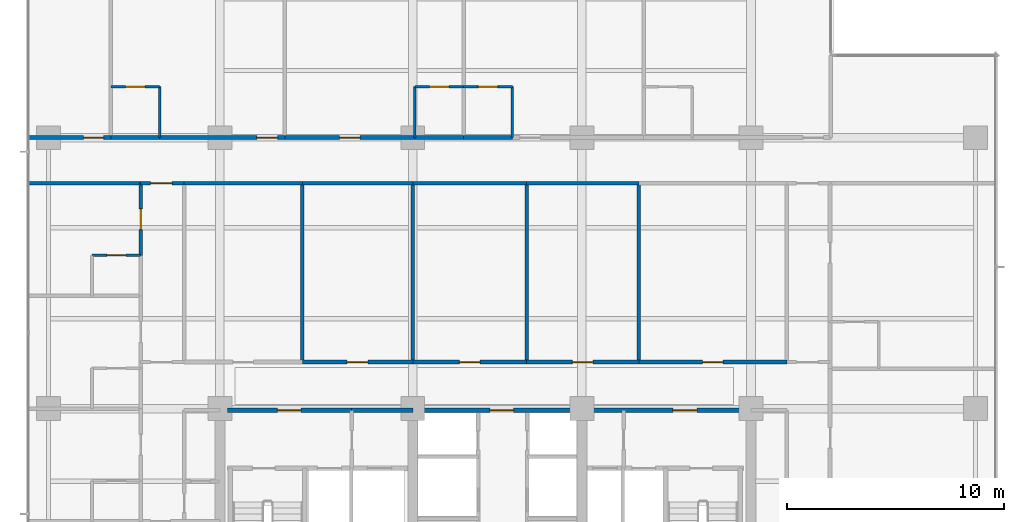
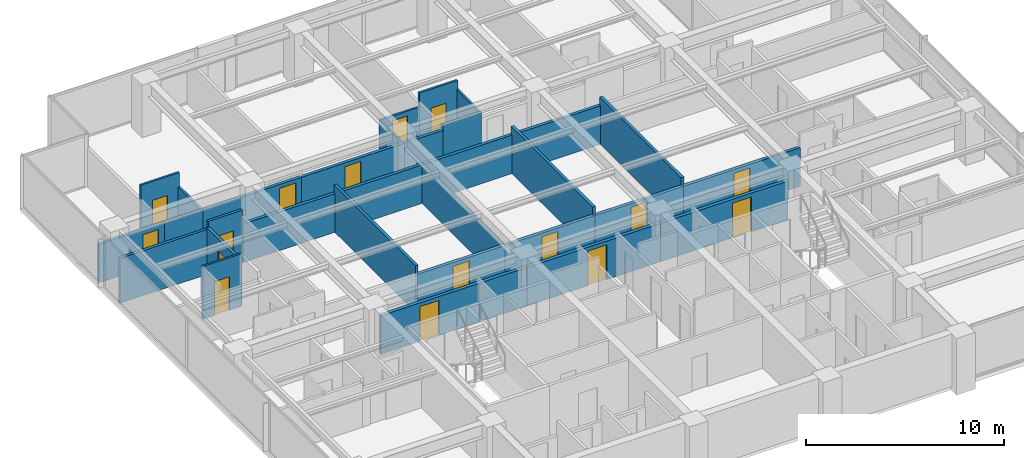
# One storey, part 9 of 15: 32 walls, 16 doors, 16 openings.
"""IFC4 building model written with IfcOpenShell, lengths in metres."""

from ifc_helpers import new_model, si_unit, direction, frame, frame_2d, origin, place, context, subcontext, project, spatial, rectangle, extrude, material, layer, layer_set, type_object, element, fill, save


model = new_model("IFC4")

# Units and contexts
model_context = context("Model", 3, precision=1e-05, world=origin(), true_north=direction((0.0, 1.0)))
body_context = subcontext(model_context, "Body", "Model", "MODEL_VIEW")
ifc_project = project(units=[si_unit("LENGTHUNIT", "METRE"), si_unit("AREAUNIT", "SQUARE_METRE"), si_unit("VOLUMEUNIT", "CUBIC_METRE"), si_unit("PLANEANGLEUNIT", "RADIAN"), si_unit("MASSUNIT", "GRAM", prefix="KILO")], contexts=[model_context])

# Site, building, storey
site_placement = place(None, origin())
site = spatial("IfcSite", under=ifc_project, at=site_placement, CompositionType="ELEMENT")
building_placement = place(site_placement, origin())
building = spatial("IfcBuilding", under=site, at=building_placement, Name="Qalmaran Belvedere Hotel", CompositionType="ELEMENT")
storey_placement = place(building_placement, frame((0.0, 0.0, 142.10009765625)))
storey = spatial("IfcBuildingStorey", under=building, at=storey_placement, Name="L35", CompositionType="ELEMENT", Elevation=142.10009765625)

# Wall, opening, door
ifc_material_1 = material(Name="Moisture-Resistant Gypsum")
ifc_layer_1 = layer(ifc_material_1, 0.1201171875, Name="Moisture-Resistant Gypsum")
ifc_layer_set_1 = layer_set([ifc_layer_1], Name="Moisture-Resistant Gypsum")
wall_type_1 = type_object("IfcWallType", Name="WL-INT-120-BATH", PredefinedType="PARTITIONING", material=ifc_layer_set_1)
wall_1_placement = place(storey_placement, frame((15.27001953125, 35.35009765625, 0.0), z_axis=(0.0, 0.0, 1.0), x_axis=(1.0, 0.0, 0.0)))
wall_1 = element("IfcWall", 1, at=wall_1_placement, inside=storey, type_object=wall_type_1, Name="L35 Partition WL-L35-NBN00", PredefinedType="PARTITIONING", context=body_context, shape_type="SweptSolid", body=[
    extrude(rectangle(XDim=2.25, YDim=0.1201171875, at=frame_2d((1.125, 0.0))), origin(), (0.0, 0.0, 1.0), 3.25),
])
opening_1_placement = place(wall_1_placement, frame((1.56494140625, 0.0, 0.0), z_axis=(0.0, 0.0, 1.0), x_axis=(-1.0, 0.0, 0.0)))
opening_1 = element("IfcOpeningElement", 2, at=opening_1_placement, cuts=wall_1, Name="Opening D-BATH", PredefinedType="OPENING", context=body_context, shape_type="SweptSolid", body=[
    extrude(rectangle(XDim=0.8798828125, YDim=2.080078125, at=frame_2d((0.43994140625, 1.0400390625))), frame((0.0, 0.070068359375, 0.0), z_axis=(0.0, -1.0, 0.0), x_axis=(1.0, 0.0, 0.0)), (0.0, 0.0, 1.0), 0.14013671875),
])
ifc_material_2 = material(Name="Engineered Oak Veneer")
door_type_1 = type_object("IfcDoorType", Name="DR-INT-BATH-880X2080", OperationType="NOTDEFINED", PredefinedType="DOOR", material=ifc_material_2)
door_1_placement = place(opening_1_placement, origin())
door_1 = element("IfcDoor", 3, at=door_1_placement, inside=storey, type_object=door_type_1, Name="L35 Ensuite Bathroom Door N01", OperationType="SINGLE_SWING_LEFT", OverallHeight=2.080078125, OverallWidth=0.8798828125, PredefinedType="DOOR", context=body_context, shape_type="SweptSolid", body=[
    extrude(rectangle(XDim=0.8798828125, YDim=2.080078125, at=frame_2d((0.43994140625, 1.0400390625))), frame((0.0, 0.02490234375, 0.0), z_axis=(0.0, -1.0, 0.0), x_axis=(1.0, 0.0, 0.0)), (0.0, 0.0, 1.0), 0.050048828125),
])
fill(opening_1, door_1)

# Wall
wall_2_placement = place(storey_placement, frame((17.52001953125, 33.0, 0.0), z_axis=(0.0, 0.0, 1.0), x_axis=(0.0, 1.0, 0.0)))
element("IfcWall", 4, at=wall_2_placement, inside=storey, type_object=wall_type_1, Name="L35 Partition WL-L35-NBS00", PredefinedType="PARTITIONING", context=body_context, shape_type="SweptSolid", body=[
    extrude(rectangle(XDim=2.35009765625, YDim=0.1201171875, at=frame_2d((1.175048828125, 0.0))), origin(), (0.0, 0.0, 1.0), 2.3798828125),
])

# Wall, opening, door
wall_3_placement = place(storey_placement, frame((29.29296875, 35.35009765625, 0.0), z_axis=(0.0, 0.0, 1.0), x_axis=(1.0, 0.0, 0.0)))
wall_3 = element("IfcWall", 5, at=wall_3_placement, inside=storey, type_object=wall_type_1, Name="L35 Partition WL-L35-NBN01", PredefinedType="PARTITIONING", context=body_context, shape_type="SweptSolid", body=[
    extrude(rectangle(XDim=2.25, YDim=0.1201171875, at=frame_2d((1.125, 0.0))), origin(), (0.0, 0.0, 1.0), 2.3798828125),
])
opening_2_placement = place(wall_3_placement, frame((1.56494140625, 0.0, 0.0), z_axis=(0.0, 0.0, 1.0), x_axis=(-1.0, 0.0, 0.0)))
opening_2 = element("IfcOpeningElement", 6, at=opening_2_placement, cuts=wall_3, Name="Opening D-BATH", PredefinedType="OPENING", context=body_context, shape_type="SweptSolid", body=[
    extrude(rectangle(XDim=0.8798828125, YDim=2.080078125, at=frame_2d((0.43994140625, 1.0400390625))), frame((0.0, 0.070068359375, 0.0), z_axis=(0.0, -1.0, 0.0), x_axis=(1.0, 0.0, 0.0)), (0.0, 0.0, 1.0), 0.14013671875),
])
door_2_placement = place(opening_2_placement, origin())
door_2 = element("IfcDoor", 7, at=door_2_placement, inside=storey, type_object=door_type_1, Name="L35 Ensuite Bathroom Door N02", OperationType="SINGLE_SWING_LEFT", OverallHeight=2.080078125, OverallWidth=0.8798828125, PredefinedType="DOOR", context=body_context, shape_type="SweptSolid", body=[
    extrude(rectangle(XDim=0.8798828125, YDim=2.080078125, at=frame_2d((0.43994140625, 1.0400390625))), frame((0.0, 0.02490234375, 0.0), z_axis=(0.0, -1.0, 0.0), x_axis=(1.0, 0.0, 0.0)), (0.0, 0.0, 1.0), 0.050048828125),
])
fill(opening_2, door_2)

# Wall
wall_4_placement = place(storey_placement, frame((29.29296875, 33.0, 0.0), z_axis=(0.0, 0.0, 1.0), x_axis=(0.0, 1.0, 0.0)))
element("IfcWall", 8, at=wall_4_placement, inside=storey, type_object=wall_type_1, Name="L35 Partition WL-L35-NBS01", PredefinedType="PARTITIONING", context=body_context, shape_type="SweptSolid", body=[
    extrude(rectangle(XDim=2.35009765625, YDim=0.1201171875, at=frame_2d((1.175048828125, 0.0))), origin(), (0.0, 0.0, 1.0), 2.3798828125),
])

# Wall, opening, door
wall_5_placement = place(storey_placement, frame((31.54296875, 35.35009765625, 0.0), z_axis=(0.0, 0.0, 1.0), x_axis=(1.0, 0.0, 0.0)))
wall_5 = element("IfcWall", 9, at=wall_5_placement, inside=storey, type_object=wall_type_1, Name="L35 Partition WL-L35-NBN02", PredefinedType="PARTITIONING", context=body_context, shape_type="SweptSolid", body=[
    extrude(rectangle(XDim=2.25, YDim=0.1201171875, at=frame_2d((1.125, 0.0))), origin(), (0.0, 0.0, 1.0), 3.25),
])
opening_3_placement = place(wall_5_placement, frame((1.56494140625, 0.0, 0.0), z_axis=(0.0, 0.0, 1.0), x_axis=(-1.0, 0.0, 0.0)))
opening_3 = element("IfcOpeningElement", 10, at=opening_3_placement, cuts=wall_5, Name="Opening D-BATH", PredefinedType="OPENING", context=body_context, shape_type="SweptSolid", body=[
    extrude(rectangle(XDim=0.8798828125, YDim=2.080078125, at=frame_2d((0.43994140625, 1.0400390625))), frame((0.0, 0.070068359375, 0.0), z_axis=(0.0, -1.0, 0.0), x_axis=(1.0, 0.0, 0.0)), (0.0, 0.0, 1.0), 0.14013671875),
])
door_3_placement = place(opening_3_placement, origin())
door_3 = element("IfcDoor", 11, at=door_3_placement, inside=storey, type_object=door_type_1, Name="L35 Ensuite Bathroom Door N03", OperationType="SINGLE_SWING_LEFT", OverallHeight=2.080078125, OverallWidth=0.8798828125, PredefinedType="DOOR", context=body_context, shape_type="SweptSolid", body=[
    extrude(rectangle(XDim=0.8798828125, YDim=2.080078125, at=frame_2d((0.43994140625, 1.0400390625))), frame((0.0, 0.02490234375, 0.0), z_axis=(0.0, -1.0, 0.0), x_axis=(1.0, 0.0, 0.0)), (0.0, 0.0, 1.0), 0.050048828125),
])
fill(opening_3, door_3)

# Wall
wall_6_placement = place(storey_placement, frame((33.79296875, 33.0, 0.0), z_axis=(0.0, 0.0, 1.0), x_axis=(0.0, 1.0, 0.0)))
element("IfcWall", 12, at=wall_6_placement, inside=storey, type_object=wall_type_1, Name="L35 Partition WL-L35-NBS02", PredefinedType="PARTITIONING", context=body_context, shape_type="SweptSolid", body=[
    extrude(rectangle(XDim=2.35009765625, YDim=0.1201171875, at=frame_2d((1.175048828125, 0.0))), origin(), (0.0, 0.0, 1.0), 2.69189453125),
])

# Wall, opening, door
wall_7_placement = place(storey_placement, frame((14.39990234375, 27.570068359375, 0.0), z_axis=(0.0, 0.0, 1.0), x_axis=(1.0, 0.0, 0.0)))
wall_7 = element("IfcWall", 13, at=wall_7_placement, inside=storey, type_object=wall_type_1, Name="L35 Partition WL-L35-WBN02", PredefinedType="PARTITIONING", context=body_context, shape_type="SweptSolid", body=[
    extrude(rectangle(XDim=2.25, YDim=0.1201171875, at=frame_2d((1.125, 0.0))), origin(), (0.0, 0.0, 1.0), 3.25),
])
opening_4_placement = place(wall_7_placement, frame((1.56494140625, 0.0, 0.0), z_axis=(0.0, 0.0, 1.0), x_axis=(-1.0, 0.0, 0.0)))
opening_4 = element("IfcOpeningElement", 14, at=opening_4_placement, cuts=wall_7, Name="Opening D-BATH", PredefinedType="OPENING", context=body_context, shape_type="SweptSolid", body=[
    extrude(rectangle(XDim=0.8798828125, YDim=2.080078125, at=frame_2d((0.43994140625, 1.0400390625))), frame((0.0, 0.070068359375, 0.0), z_axis=(0.0, -1.0, 0.0), x_axis=(1.0, 0.0, 0.0)), (0.0, 0.0, 1.0), 0.14013671875),
])
door_4_placement = place(opening_4_placement, origin())
door_4 = element("IfcDoor", 15, at=door_4_placement, inside=storey, type_object=door_type_1, Name="L35 W Ensuite Door 03", OperationType="SINGLE_SWING_LEFT", OverallHeight=2.080078125, OverallWidth=0.8798828125, PredefinedType="DOOR", context=body_context, shape_type="SweptSolid", body=[
    extrude(rectangle(XDim=0.8798828125, YDim=2.080078125, at=frame_2d((0.43994140625, 1.0400390625))), frame((0.0, 0.02490234375, 0.0), z_axis=(0.0, -1.0, 0.0), x_axis=(1.0, 0.0, 0.0)), (0.0, 0.0, 1.0), 0.050048828125),
])
fill(opening_4, door_4)

ifc_material_3 = material(Name="Gypsum Stud Partition")
ifc_layer_2 = layer(ifc_material_3, 0.14990234375, Name="Gypsum Stud Partition")
ifc_layer_set_2 = layer_set([ifc_layer_2], Name="Gypsum Stud Partition")
wall_type_2 = type_object("IfcWallType", Name="WL-INT-150-EI60", PredefinedType="PARTITIONING", material=ifc_layer_set_2)
wall_8_placement = place(storey_placement, frame((16.64990234375, 30.89990234375, 0.0), z_axis=(0.0, 0.0, 1.0), x_axis=(1.0, 0.0, 0.0)))
wall_8 = element("IfcWall", 16, at=wall_8_placement, inside=storey, type_object=wall_type_2, Name="L35 Partition WL-L35-XCW2", PredefinedType="PARTITIONING", context=body_context, shape_type="SweptSolid", body=[
    extrude(rectangle(XDim=2.0, YDim=0.14990234375, at=frame_2d((1.0, 0.0))), origin(), (0.0, 0.0, 1.0), 3.25),
])
opening_5_placement = place(wall_8_placement, frame((0.449951171875, 0.0, 0.0)))
opening_5 = element("IfcOpeningElement", 17, at=opening_5_placement, cuts=wall_8, Name="Opening FD90B", PredefinedType="OPENING", context=body_context, shape_type="SweptSolid", body=[
    extrude(rectangle(XDim=1.0, YDim=2.14990234375, at=frame_2d((0.5, 1.074951171875))), frame((0.0, 0.0849609375, 0.0), z_axis=(0.0, -1.0, 0.0), x_axis=(1.0, 0.0, 0.0)), (0.0, 0.0, 1.0), 0.169921875),
])
ifc_material_4 = material(Name="Steel S355JR", Category="steel")
door_type_2 = type_object("IfcDoorType", Name="DR-FD90B-1000X2150", OperationType="NOTDEFINED", PredefinedType="DOOR", material=ifc_material_4)
door_5_placement = place(opening_5_placement, origin())
door_5 = element("IfcDoor", 18, at=door_5_placement, inside=storey, type_object=door_type_2, Name="L35 West Corridor Smoke Door N", OperationType="SINGLE_SWING_LEFT", OverallHeight=2.14990234375, OverallWidth=1.0, PredefinedType="DOOR", context=body_context, shape_type="SweptSolid", body=[
    extrude(rectangle(XDim=1.0, YDim=2.14990234375, at=frame_2d((0.5, 1.074951171875))), frame((0.0, 0.02490234375, 0.0), z_axis=(0.0, -1.0, 0.0), x_axis=(1.0, 0.0, 0.0)), (0.0, 0.0, 1.0), 0.050048828125),
])
fill(opening_5, door_5)

# Walls
ifc_layer_3 = layer(ifc_material_3, 0.159912109375, Name="Gypsum Stud Partition")
ifc_layer_set_3 = layer_set([ifc_layer_3], Name="Gypsum Stud Partition")
wall_type_3 = type_object("IfcWallType", Name="WL-INT-160-EI60", PredefinedType="PARTITIONING", material=ifc_layer_set_3)
wall_9_placement = place(storey_placement, frame((24.10009765625, 22.64990234375, 0.0), z_axis=(0.0, 0.0, 1.0), x_axis=(0.0, 1.0, 0.0)))
element("IfcWall", 19, at=wall_9_placement, inside=storey, type_object=wall_type_3, Name="L35 Partition WL-L35-MIDVR1", PredefinedType="PARTITIONING", context=body_context, shape_type="SweptSolid", body=[
    extrude(rectangle(XDim=8.25, YDim=0.159912109375, at=frame_2d((4.125, 0.0))), origin(), (0.0, 0.0, 1.0), 2.880859375),
])
wall_10_placement = place(storey_placement, frame((29.199951171875, 22.64990234375, 0.0), z_axis=(0.0, 0.0, 1.0), x_axis=(0.0, 1.0, 0.0)))
element("IfcWall", 20, at=wall_10_placement, inside=storey, type_object=wall_type_3, Name="L35 Partition WL-L35-MIDVR2", PredefinedType="PARTITIONING", context=body_context, shape_type="SweptSolid", body=[
    extrude(rectangle(XDim=8.25, YDim=0.159912109375, at=frame_2d((4.125, 0.0))), origin(), (0.0, 0.0, 1.0), 2.3798828125),
])
for number, where, z_axis, x_axis, name in (
    (21, (34.449951171875, 22.64990234375, 0.0), (0.0, 0.0, 1.0), (0.0, 1.0, 0.0), "L35 Partition WL-L35-MIDVR3"),
    (22, (39.625, 22.64990234375, 0.0), (0.0, 0.0, 1.0), (0.0, 1.0, 0.0), "L35 Partition WL-L35-MIDVR4"),
):
    element("IfcWall", number, at=place(storey_placement, frame(where, z_axis=z_axis, x_axis=x_axis)), inside=storey, type_object=wall_type_3, Name=name, PredefinedType="PARTITIONING", context=body_context, shape_type="SweptSolid", body=[
        extrude(rectangle(XDim=8.25, YDim=0.159912109375, at=frame_2d((4.125, 0.0))), origin(), (0.0, 0.0, 1.0), 2.880859375),
    ])
wall_11_placement = place(storey_placement, frame((11.469970703125, 30.89990234375, 0.0), z_axis=(0.0, 0.0, 1.0), x_axis=(1.0, 0.0, 0.0)))
element("IfcWall", 23, at=wall_11_placement, inside=storey, type_object=wall_type_3, Name="L35 Partition WL-L35-WU02", PredefinedType="PARTITIONING", context=body_context, shape_type="SweptSolid", body=[
    extrude(rectangle(XDim=5.179931640625, YDim=0.159912109375, at=frame_2d((2.58984375, 0.0))), origin(), (0.0, 0.0, 1.0), 2.77197265625),
])
ifc_layer_4 = layer(ifc_material_3, 0.179931640625, Name="Gypsum Stud Partition")
ifc_layer_set_4 = layer_set([ifc_layer_4], Name="Gypsum Stud Partition")
wall_type_4 = type_object("IfcWallType", Name="WL-INT-180-EI60", PredefinedType="PARTITIONING", material=ifc_layer_set_4)
wall_12_placement = place(storey_placement, frame((18.64990234375, 30.89990234375, 0.0), z_axis=(0.0, 0.0, 1.0), x_axis=(1.0, 0.0, 0.0)))
element("IfcWall", 24, at=wall_12_placement, inside=storey, type_object=wall_type_4, Name="L35 Partition WL-L35-MIDO1", PredefinedType="PARTITIONING", context=body_context, shape_type="SweptSolid", body=[
    extrude(rectangle(XDim=5.4501953125, YDim=0.179931640625, at=frame_2d((2.72509765625, 0.0))), origin(), (0.0, 0.0, 1.0), 2.3798828125),
])

# Wall, opening, door
wall_13_placement = place(storey_placement, frame((24.10009765625, 22.64990234375, 0.0), z_axis=(0.0, 0.0, 1.0), x_axis=(1.0, 0.0, 0.0)))
wall_13 = element("IfcWall", 25, at=wall_13_placement, inside=storey, type_object=wall_type_4, Name="L35 Partition WL-L35-MIDD2", PredefinedType="PARTITIONING", context=body_context, shape_type="SweptSolid", body=[
    extrude(rectangle(XDim=5.099853515625, YDim=0.179931640625, at=frame_2d((2.5498046875, 0.0))), origin(), (0.0, 0.0, 1.0), 2.3798828125),
])
opening_6_placement = place(wall_13_placement, frame((2.074951171875, 0.0, 0.0)))
opening_6 = element("IfcOpeningElement", 26, at=opening_6_placement, cuts=wall_13, Name="Opening FD60", PredefinedType="OPENING", context=body_context, shape_type="SweptSolid", body=[
    extrude(rectangle(XDim=0.949951171875, YDim=2.14990234375, at=frame_2d((0.47509765625, 1.074951171875))), frame((0.0, 0.10009765625, 0.0), z_axis=(0.0, -1.0, 0.0), x_axis=(1.0, 0.0, 0.0)), (0.0, 0.0, 1.0), 0.199951171875),
])
door_type_3 = type_object("IfcDoorType", Name="DR-FD60-950X2150", OperationType="NOTDEFINED", PredefinedType="DOOR", material=ifc_material_2)
door_6_placement = place(opening_6_placement, origin())
door_6 = element("IfcDoor", 27, at=door_6_placement, inside=storey, type_object=door_type_3, Name="L35 Club Lounge Door", OperationType="SINGLE_SWING_LEFT", OverallHeight=2.14990234375, OverallWidth=0.949951171875, PredefinedType="DOOR", context=body_context, shape_type="SweptSolid", body=[
    extrude(rectangle(XDim=0.949951171875, YDim=2.14990234375, at=frame_2d((0.47509765625, 1.074951171875))), frame((0.0, 0.02490234375, 0.0), z_axis=(0.0, -1.0, 0.0), x_axis=(1.0, 0.0, 0.0)), (0.0, 0.0, 1.0), 0.050048828125),
])
fill(opening_6, door_6)

# Wall
wall_14_placement = place(storey_placement, frame((24.10009765625, 30.89990234375, 0.0), z_axis=(0.0, 0.0, 1.0), x_axis=(1.0, 0.0, 0.0)))
element("IfcWall", 28, at=wall_14_placement, inside=storey, type_object=wall_type_4, Name="L35 Partition WL-L35-MIDO2", PredefinedType="PARTITIONING", context=body_context, shape_type="SweptSolid", body=[
    extrude(rectangle(XDim=5.099853515625, YDim=0.179931640625, at=frame_2d((2.5498046875, 0.0))), origin(), (0.0, 0.0, 1.0), 2.3798828125),
])

# Wall, opening, door
wall_15_placement = place(storey_placement, frame((29.199951171875, 22.64990234375, 0.0), z_axis=(0.0, 0.0, 1.0), x_axis=(1.0, 0.0, 0.0)))
wall_15 = element("IfcWall", 29, at=wall_15_placement, inside=storey, type_object=wall_type_4, Name="L35 Partition WL-L35-MIDD3", PredefinedType="PARTITIONING", context=body_context, shape_type="SweptSolid", body=[
    extrude(rectangle(XDim=5.25, YDim=0.179931640625, at=frame_2d((2.625, 0.0))), origin(), (0.0, 0.0, 1.0), 2.3798828125),
])
opening_7_placement = place(wall_15_placement, frame((2.14990234375, 0.0, 0.0)))
opening_7 = element("IfcOpeningElement", 30, at=opening_7_placement, cuts=wall_15, Name="Opening FD60", PredefinedType="OPENING", context=body_context, shape_type="SweptSolid", body=[
    extrude(rectangle(XDim=0.949951171875, YDim=2.14990234375, at=frame_2d((0.47509765625, 1.074951171875))), frame((0.0, 0.10009765625, 0.0), z_axis=(0.0, -1.0, 0.0), x_axis=(1.0, 0.0, 0.0)), (0.0, 0.0, 1.0), 0.199951171875),
])
door_7_placement = place(opening_7_placement, origin())
door_7 = element("IfcDoor", 31, at=door_7_placement, inside=storey, type_object=door_type_3, Name="L35 Reading Lounge Door", OperationType="SINGLE_SWING_RIGHT", OverallHeight=2.14990234375, OverallWidth=0.949951171875, PredefinedType="DOOR", context=body_context, shape_type="SweptSolid", body=[
    extrude(rectangle(XDim=0.949951171875, YDim=2.14990234375, at=frame_2d((0.47509765625, 1.074951171875))), frame((0.0, 0.02490234375, 0.0), z_axis=(0.0, -1.0, 0.0), x_axis=(1.0, 0.0, 0.0)), (0.0, 0.0, 1.0), 0.050048828125),
])
fill(opening_7, door_7)

# Wall
wall_16_placement = place(storey_placement, frame((29.199951171875, 30.89990234375, 0.0), z_axis=(0.0, 0.0, 1.0), x_axis=(1.0, 0.0, 0.0)))
element("IfcWall", 32, at=wall_16_placement, inside=storey, type_object=wall_type_4, Name="L35 Partition WL-L35-MIDO3", PredefinedType="PARTITIONING", context=body_context, shape_type="SweptSolid", body=[
    extrude(rectangle(XDim=5.25, YDim=0.179931640625, at=frame_2d((2.625, 0.0))), origin(), (0.0, 0.0, 1.0), 2.3798828125),
])

# Wall, opening, door
wall_17_placement = place(storey_placement, frame((34.449951171875, 22.64990234375, 0.0), z_axis=(0.0, 0.0, 1.0), x_axis=(1.0, 0.0, 0.0)))
wall_17 = element("IfcWall", 33, at=wall_17_placement, inside=storey, type_object=wall_type_4, Name="L35 Partition WL-L35-MIDD4", PredefinedType="PARTITIONING", context=body_context, shape_type="SweptSolid", body=[
    extrude(rectangle(XDim=5.175048828125, YDim=0.179931640625, at=frame_2d((2.58740234375, 0.0))), origin(), (0.0, 0.0, 1.0), 2.3798828125),
])
opening_8_placement = place(wall_17_placement, frame((2.112548828125, 0.0, 0.0)))
opening_8 = element("IfcOpeningElement", 34, at=opening_8_placement, cuts=wall_17, Name="Opening FD60", PredefinedType="OPENING", context=body_context, shape_type="SweptSolid", body=[
    extrude(rectangle(XDim=0.949951171875, YDim=2.14990234375, at=frame_2d((0.47509765625, 1.074951171875))), frame((0.0, 0.10009765625, 0.0), z_axis=(0.0, -1.0, 0.0), x_axis=(1.0, 0.0, 0.0)), (0.0, 0.0, 1.0), 0.199951171875),
])
door_8_placement = place(opening_8_placement, origin())
door_8 = element("IfcDoor", 35, at=door_8_placement, inside=storey, type_object=door_type_3, Name="L35 Tea Lounge Door", OperationType="SINGLE_SWING_LEFT", OverallHeight=2.14990234375, OverallWidth=0.949951171875, PredefinedType="DOOR", context=body_context, shape_type="SweptSolid", body=[
    extrude(rectangle(XDim=0.949951171875, YDim=2.14990234375, at=frame_2d((0.47509765625, 1.074951171875))), frame((0.0, 0.02490234375, 0.0), z_axis=(0.0, -1.0, 0.0), x_axis=(1.0, 0.0, 0.0)), (0.0, 0.0, 1.0), 0.050048828125),
])
fill(opening_8, door_8)

# Wall
wall_18_placement = place(storey_placement, frame((34.449951171875, 30.89990234375, 0.0), z_axis=(0.0, 0.0, 1.0), x_axis=(1.0, 0.0, 0.0)))
element("IfcWall", 36, at=wall_18_placement, inside=storey, type_object=wall_type_4, Name="L35 Partition WL-L35-MIDO4", PredefinedType="PARTITIONING", context=body_context, shape_type="SweptSolid", body=[
    extrude(rectangle(XDim=5.175048828125, YDim=0.179931640625, at=frame_2d((2.58740234375, 0.0))), origin(), (0.0, 0.0, 1.0), 2.3798828125),
])

# Wall, opening, door
wall_19_placement = place(storey_placement, frame((39.625, 22.64990234375, 0.0), z_axis=(0.0, 0.0, 1.0), x_axis=(1.0, 0.0, 0.0)))
wall_19 = element("IfcWall", 37, at=wall_19_placement, inside=storey, type_object=wall_type_4, Name="L35 Partition WL-L35-MIDD5", PredefinedType="PARTITIONING", context=body_context, shape_type="SweptSolid", body=[
    extrude(rectangle(XDim=6.824951171875, YDim=0.179931640625, at=frame_2d((3.41259765625, 0.0))), origin(), (0.0, 0.0, 1.0), 2.3798828125),
])
opening_9_placement = place(wall_19_placement, frame((2.9375, 0.0, 0.0)))
opening_9 = element("IfcOpeningElement", 38, at=opening_9_placement, cuts=wall_19, Name="Opening FD60", PredefinedType="OPENING", context=body_context, shape_type="SweptSolid", body=[
    extrude(rectangle(XDim=0.949951171875, YDim=2.14990234375, at=frame_2d((0.47509765625, 1.074951171875))), frame((0.0, 0.10009765625, 0.0), z_axis=(0.0, -1.0, 0.0), x_axis=(1.0, 0.0, 0.0)), (0.0, 0.0, 1.0), 0.199951171875),
])
door_9_placement = place(opening_9_placement, origin())
door_9 = element("IfcDoor", 39, at=door_9_placement, inside=storey, type_object=door_type_3, Name="L35 Sunset Lounge Door", OperationType="SINGLE_SWING_RIGHT", OverallHeight=2.14990234375, OverallWidth=0.949951171875, PredefinedType="DOOR", context=body_context, shape_type="SweptSolid", body=[
    extrude(rectangle(XDim=0.949951171875, YDim=2.14990234375, at=frame_2d((0.47509765625, 1.074951171875))), frame((0.0, 0.02490234375, 0.0), z_axis=(0.0, -1.0, 0.0), x_axis=(1.0, 0.0, 0.0)), (0.0, 0.0, 1.0), 0.050048828125),
])
fill(opening_9, door_9)

# Wall
wall_20_placement = place(storey_placement, frame((15.27001953125, 33.0, 0.0), z_axis=(0.0, 0.0, 1.0), x_axis=(1.0, 0.0, 0.0)))
element("IfcWall", 40, at=wall_20_placement, inside=storey, type_object=wall_type_4, Name="L35 Partition WL-L35-NBC00", PredefinedType="PARTITIONING", context=body_context, shape_type="SweptSolid", body=[
    extrude(rectangle(XDim=2.25, YDim=0.179931640625, at=frame_2d((1.125, 0.0))), origin(), (0.0, 0.0, 1.0), 2.3798828125),
])

# Wall, opening, door
wall_21_placement = place(storey_placement, frame((17.52001953125, 33.0, 0.0), z_axis=(0.0, 0.0, 1.0), x_axis=(1.0, 0.0, 0.0)))
wall_21 = element("IfcWall", 41, at=wall_21_placement, inside=storey, type_object=wall_type_4, Name="L35 Partition WL-L35-NEC00", PredefinedType="PARTITIONING", context=body_context, shape_type="SweptSolid", body=[
    extrude(rectangle(XDim=5.780029296875, YDim=0.179931640625, at=frame_2d((2.89013671875, 0.0))), origin(), (0.0, 0.0, 1.0), 2.3798828125),
])
opening_10_placement = place(wall_21_placement, frame((4.491455078125, 0.0, 0.0)))
opening_10 = element("IfcOpeningElement", 42, at=opening_10_placement, cuts=wall_21, Name="Opening FD60", PredefinedType="OPENING", context=body_context, shape_type="SweptSolid", body=[
    extrude(rectangle(XDim=0.949951171875, YDim=2.14990234375, at=frame_2d((0.47509765625, 1.074951171875))), frame((0.0, 0.10009765625, 0.0), z_axis=(0.0, -1.0, 0.0), x_axis=(1.0, 0.0, 0.0)), (0.0, 0.0, 1.0), 0.199951171875),
])
door_10_placement = place(opening_10_placement, origin())
door_10 = element("IfcDoor", 43, at=door_10_placement, inside=storey, type_object=door_type_3, Name="L35 Guest Entrance Door N01", OperationType="SINGLE_SWING_RIGHT", OverallHeight=2.14990234375, OverallWidth=0.949951171875, PredefinedType="DOOR", context=body_context, shape_type="SweptSolid", body=[
    extrude(rectangle(XDim=0.949951171875, YDim=2.14990234375, at=frame_2d((0.47509765625, 1.074951171875))), frame((0.0, 0.02490234375, 0.0), z_axis=(0.0, -1.0, 0.0), x_axis=(1.0, 0.0, 0.0)), (0.0, 0.0, 1.0), 0.050048828125),
])
fill(opening_10, door_10)

# Wall
wall_22_placement = place(storey_placement, frame((29.29296875, 33.0, 0.0), z_axis=(0.0, 0.0, 1.0), x_axis=(1.0, 0.0, 0.0)))
element("IfcWall", 44, at=wall_22_placement, inside=storey, type_object=wall_type_4, Name="L35 Partition WL-L35-NBC01", PredefinedType="PARTITIONING", context=body_context, shape_type="SweptSolid", body=[
    extrude(rectangle(XDim=2.25, YDim=0.179931640625, at=frame_2d((1.125, 0.0))), origin(), (0.0, 0.0, 1.0), 2.3798828125),
])

# Wall, opening, door
wall_23_placement = place(storey_placement, frame((23.300048828125, 33.0, 0.0), z_axis=(0.0, 0.0, 1.0), x_axis=(1.0, 0.0, 0.0)))
wall_23 = element("IfcWall", 45, at=wall_23_placement, inside=storey, type_object=wall_type_4, Name="L35 Partition WL-L35-NEC01", PredefinedType="PARTITIONING", context=body_context, shape_type="SweptSolid", body=[
    extrude(rectangle(XDim=5.992919921875, YDim=0.179931640625, at=frame_2d((2.99658203125, 0.0))), origin(), (0.0, 0.0, 1.0), 2.3798828125),
])
opening_11_placement = place(wall_23_placement, frame((2.521484375, 0.0, 0.0)))
opening_11 = element("IfcOpeningElement", 46, at=opening_11_placement, cuts=wall_23, Name="Opening FD60", PredefinedType="OPENING", context=body_context, shape_type="SweptSolid", body=[
    extrude(rectangle(XDim=0.949951171875, YDim=2.14990234375, at=frame_2d((0.47509765625, 1.074951171875))), frame((0.0, 0.10009765625, 0.0), z_axis=(0.0, -1.0, 0.0), x_axis=(1.0, 0.0, 0.0)), (0.0, 0.0, 1.0), 0.199951171875),
])
door_11_placement = place(opening_11_placement, origin())
door_11 = element("IfcDoor", 47, at=door_11_placement, inside=storey, type_object=door_type_3, Name="L35 Guest Entrance Door N02", OperationType="SINGLE_SWING_RIGHT", OverallHeight=2.14990234375, OverallWidth=0.949951171875, PredefinedType="DOOR", context=body_context, shape_type="SweptSolid", body=[
    extrude(rectangle(XDim=0.949951171875, YDim=2.14990234375, at=frame_2d((0.47509765625, 1.074951171875))), frame((0.0, 0.02490234375, 0.0), z_axis=(0.0, -1.0, 0.0), x_axis=(1.0, 0.0, 0.0)), (0.0, 0.0, 1.0), 0.050048828125),
])
fill(opening_11, door_11)

# Wall
wall_24_placement = place(storey_placement, frame((31.54296875, 33.0, 0.0), z_axis=(0.0, 0.0, 1.0), x_axis=(1.0, 0.0, 0.0)))
element("IfcWall", 48, at=wall_24_placement, inside=storey, type_object=wall_type_4, Name="L35 Partition WL-L35-NBC02", PredefinedType="PARTITIONING", context=body_context, shape_type="SweptSolid", body=[
    extrude(rectangle(XDim=2.25, YDim=0.179931640625, at=frame_2d((1.125, 0.0))), origin(), (0.0, 0.0, 1.0), 2.69189453125),
])

# Wall, opening, door
wall_25_placement = place(storey_placement, frame((16.64990234375, 27.570068359375, 0.0), z_axis=(0.0, 0.0, 1.0), x_axis=(0.0, 1.0, 0.0)))
wall_25 = element("IfcWall", 49, at=wall_25_placement, inside=storey, type_object=wall_type_4, Name="L35 Partition WL-L35-WEC02", PredefinedType="PARTITIONING", context=body_context, shape_type="SweptSolid", body=[
    extrude(rectangle(XDim=3.329833984375, YDim=0.179931640625, at=frame_2d((1.6650390625, 0.0))), origin(), (0.0, 0.0, 1.0), 2.880859375),
])
opening_12_placement = place(wall_25_placement, frame((1.18994140625, 0.0, 0.0)))
opening_12 = element("IfcOpeningElement", 50, at=opening_12_placement, cuts=wall_25, Name="Opening FD60", PredefinedType="OPENING", context=body_context, shape_type="SweptSolid", body=[
    extrude(rectangle(XDim=0.949951171875, YDim=2.14990234375, at=frame_2d((0.47509765625, 1.074951171875))), frame((0.0, 0.10009765625, 0.0), z_axis=(0.0, -1.0, 0.0), x_axis=(1.0, 0.0, 0.0)), (0.0, 0.0, 1.0), 0.199951171875),
])
door_12_placement = place(opening_12_placement, origin())
door_12 = element("IfcDoor", 51, at=door_12_placement, inside=storey, type_object=door_type_3, Name="L35 W Wing Door 03", OperationType="SINGLE_SWING_RIGHT", OverallHeight=2.14990234375, OverallWidth=0.949951171875, PredefinedType="DOOR", context=body_context, shape_type="SweptSolid", body=[
    extrude(rectangle(XDim=0.949951171875, YDim=2.14990234375, at=frame_2d((0.47509765625, 1.074951171875))), frame((0.0, 0.02490234375, 0.0), z_axis=(0.0, -1.0, 0.0), x_axis=(1.0, 0.0, 0.0)), (0.0, 0.0, 1.0), 0.050048828125),
])
fill(opening_12, door_12)

wall_26_placement = place(storey_placement, frame((11.469970703125, 33.0, 0.0), z_axis=(0.0, 0.0, 1.0), x_axis=(1.0, 0.0, 0.0)))
wall_26 = element("IfcWall", 52, at=wall_26_placement, inside=storey, type_object=wall_type_4, Name="L35 Partition WL-L35-NWSD", PredefinedType="PARTITIONING", context=body_context, shape_type="SweptSolid", body=[
    extrude(rectangle(XDim=3.800048828125, YDim=0.179931640625, at=frame_2d((1.89990234375, 0.0))), origin(), (0.0, 0.0, 1.0), 2.3798828125),
])
opening_13_placement = place(wall_26_placement, frame((2.543701171875, 0.0, 0.0)))
opening_13 = element("IfcOpeningElement", 53, at=opening_13_placement, cuts=wall_26, Name="Opening FD60S1", PredefinedType="OPENING", context=body_context, shape_type="SweptSolid", body=[
    extrude(rectangle(XDim=0.919921875, YDim=2.080078125, at=frame_2d((0.4599609375, 1.0400390625))), frame((0.0, 0.10009765625, 0.0), z_axis=(0.0, -1.0, 0.0), x_axis=(1.0, 0.0, 0.0)), (0.0, 0.0, 1.0), 0.199951171875),
])
door_type_4 = type_object("IfcDoorType", Name="DR-FD60S-920X2080", OperationType="NOTDEFINED", PredefinedType="DOOR", material=ifc_material_2)
door_13_placement = place(opening_13_placement, origin())
door_13 = element("IfcDoor", 54, at=door_13_placement, inside=storey, type_object=door_type_4, Name="L35 NW Belvedere Study Door", OperationType="SINGLE_SWING_LEFT", OverallHeight=2.080078125, OverallWidth=0.919921875, PredefinedType="DOOR", context=body_context, shape_type="SweptSolid", body=[
    extrude(rectangle(XDim=0.919921875, YDim=2.080078125, at=frame_2d((0.4599609375, 1.0400390625))), frame((0.0, 0.02490234375, 0.0), z_axis=(0.0, -1.0, 0.0), x_axis=(1.0, 0.0, 0.0)), (0.0, 0.0, 1.0), 0.050048828125),
])
fill(opening_13, door_13)

ifc_material_5 = material(Name="Concrete C30/37 Blockwork", Category="masonry")
ifc_layer_5 = layer(ifc_material_5, 0.199951171875, Name="Concrete C30/37 Blockwork")
ifc_layer_set_5 = layer_set([ifc_layer_5], Name="Concrete C30/37 Blockwork")
wall_type_5 = type_object("IfcWallType", Name="WL-INT-200-EI120", PredefinedType="PARTITIONING", material=ifc_layer_set_5)
wall_27_placement = place(storey_placement, frame((20.64990234375, 20.419921875, 0.0), z_axis=(0.0, 0.0, 1.0), x_axis=(1.0, 0.0, 0.0)))
wall_27 = element("IfcWall", 55, at=wall_27_placement, inside=storey, type_object=wall_type_5, Name="L35 Partition WL-CN1A-L35", PredefinedType="PARTITIONING", context=body_context, shape_type="SweptSolid", body=[
    extrude(rectangle(XDim=5.72998046875, YDim=0.199951171875, at=frame_2d((2.864990234375, 0.0))), origin(), (0.0, 0.0, 1.0), 2.3798828125),
])
opening_14_placement = place(wall_27_placement, frame((2.300048828125, 0.0, 0.0)))
opening_14 = element("IfcOpeningElement", 56, at=opening_14_placement, cuts=wall_27, Name="Opening FD90", PredefinedType="OPENING", context=body_context, shape_type="SweptSolid", body=[
    extrude(rectangle(XDim=1.10009765625, YDim=2.14990234375, at=frame_2d((0.550048828125, 1.074951171875))), frame((0.0, 0.10986328125, 0.0), z_axis=(0.0, -1.0, 0.0), x_axis=(1.0, 0.0, 0.0)), (0.0, 0.0, 1.0), 0.219970703125),
])
door_type_5 = type_object("IfcDoorType", Name="DR-FD90-1100X2150", OperationType="NOTDEFINED", PredefinedType="DOOR", material=ifc_material_4)
door_14_placement = place(opening_14_placement, origin())
door_14 = element("IfcDoor", 57, at=door_14_placement, inside=storey, type_object=door_type_5, Name="L35 FF1 Lobby Corridor Door", OperationType="SINGLE_SWING_LEFT", OverallHeight=2.14990234375, OverallWidth=1.10009765625, PredefinedType="DOOR", context=body_context, shape_type="SweptSolid", body=[
    extrude(rectangle(XDim=1.10009765625, YDim=2.14990234375, at=frame_2d((0.550048828125, 1.074951171875))), frame((0.0, 0.02490234375, 0.0), z_axis=(0.0, -1.0, 0.0), x_axis=(1.0, 0.0, 0.0)), (0.0, 0.0, 1.0), 0.050048828125),
])
fill(opening_14, door_14)

# Wall
wall_28_placement = place(storey_placement, frame((26.3798828125, 20.419921875, 0.0), z_axis=(0.0, 0.0, 1.0), x_axis=(1.0, 0.0, 0.0)))
element("IfcWall", 58, at=wall_28_placement, inside=storey, type_object=wall_type_5, Name="L35 Partition WL-CN1B-L35", PredefinedType="PARTITIONING", context=body_context, shape_type="SweptSolid", body=[
    extrude(rectangle(XDim=2.820068359375, YDim=0.199951171875, at=frame_2d((1.41015625, 0.0))), origin(), (0.0, 0.0, 1.0), 2.3798828125),
])

# Wall, opening, door
wall_29_placement = place(storey_placement, frame((29.199951171875, 20.419921875, 0.0), z_axis=(0.0, 0.0, 1.0), x_axis=(1.0, 0.0, 0.0)))
wall_29 = element("IfcWall", 59, at=wall_29_placement, inside=storey, type_object=wall_type_5, Name="L35 Partition WL-CN2-L35", PredefinedType="PARTITIONING", context=body_context, shape_type="SweptSolid", body=[
    extrude(rectangle(XDim=7.800048828125, YDim=0.199951171875, at=frame_2d((3.89990234375, 0.0))), origin(), (0.0, 0.0, 1.0), 2.3798828125),
])
opening_15_placement = place(wall_29_placement, frame((3.550048828125, 0.0, 0.0)))
opening_15 = element("IfcOpeningElement", 60, at=opening_15_placement, cuts=wall_29, Name="Opening FD90", PredefinedType="OPENING", context=body_context, shape_type="SweptSolid", body=[
    extrude(rectangle(XDim=1.10009765625, YDim=2.14990234375, at=frame_2d((0.550048828125, 1.074951171875))), frame((0.0, 0.10986328125, 0.0), z_axis=(0.0, -1.0, 0.0), x_axis=(1.0, 0.0, 0.0)), (0.0, 0.0, 1.0), 0.219970703125),
])
door_15_placement = place(opening_15_placement, origin())
door_15 = element("IfcDoor", 61, at=door_15_placement, inside=storey, type_object=door_type_5, Name="L35 Central Lift Lobby Door", OperationType="SINGLE_SWING_RIGHT", OverallHeight=2.14990234375, OverallWidth=1.10009765625, PredefinedType="DOOR", context=body_context, shape_type="SweptSolid", body=[
    extrude(rectangle(XDim=1.10009765625, YDim=2.14990234375, at=frame_2d((0.550048828125, 1.074951171875))), frame((0.0, 0.02490234375, 0.0), z_axis=(0.0, -1.0, 0.0), x_axis=(1.0, 0.0, 0.0)), (0.0, 0.0, 1.0), 0.050048828125),
])
fill(opening_15, door_15)

wall_30_placement = place(storey_placement, frame((37.0, 20.419921875, 0.0), z_axis=(0.0, 0.0, 1.0), x_axis=(1.0, 0.0, 0.0)))
wall_30 = element("IfcWall", 62, at=wall_30_placement, inside=storey, type_object=wall_type_5, Name="L35 Partition WL-CN3-L35", PredefinedType="PARTITIONING", context=body_context, shape_type="SweptSolid", body=[
    extrude(rectangle(XDim=7.449951171875, YDim=0.199951171875, at=frame_2d((3.72509765625, 0.0))), origin(), (0.0, 0.0, 1.0), 2.3798828125),
])
opening_16_placement = place(wall_30_placement, frame((4.199951171875, 0.0, 0.0)))
opening_16 = element("IfcOpeningElement", 63, at=opening_16_placement, cuts=wall_30, Name="Opening FD90", PredefinedType="OPENING", context=body_context, shape_type="SweptSolid", body=[
    extrude(rectangle(XDim=1.10009765625, YDim=2.14990234375, at=frame_2d((0.550048828125, 1.074951171875))), frame((0.0, 0.10986328125, 0.0), z_axis=(0.0, -1.0, 0.0), x_axis=(1.0, 0.0, 0.0)), (0.0, 0.0, 1.0), 0.219970703125),
])
door_16_placement = place(opening_16_placement, origin())
door_16 = element("IfcDoor", 64, at=door_16_placement, inside=storey, type_object=door_type_5, Name="L35 FF2 Lobby Corridor Door", OperationType="SINGLE_SWING_LEFT", OverallHeight=2.14990234375, OverallWidth=1.10009765625, PredefinedType="DOOR", context=body_context, shape_type="SweptSolid", body=[
    extrude(rectangle(XDim=1.10009765625, YDim=2.14990234375, at=frame_2d((0.550048828125, 1.074951171875))), frame((0.0, 0.02490234375, 0.0), z_axis=(0.0, -1.0, 0.0), x_axis=(1.0, 0.0, 0.0)), (0.0, 0.0, 1.0), 0.050048828125),
])
fill(opening_16, door_16)

save(model, "model.ifc")
